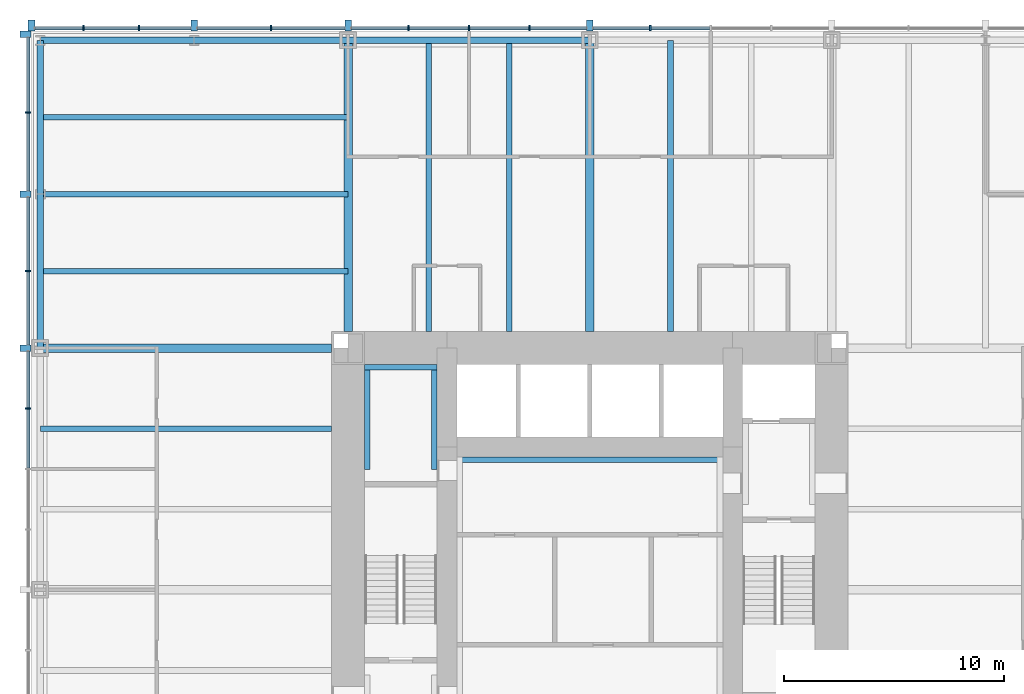
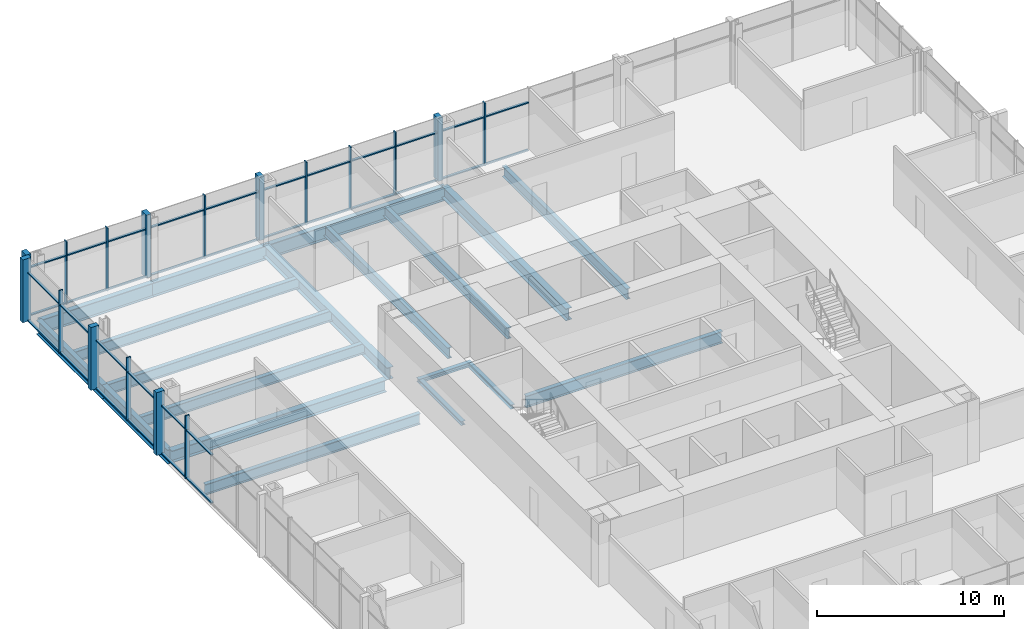
# One storey, part 5 of 12: 51 members, 19 beams, 2 elements without a shape of their own.
"""IFC4 building model written with IfcOpenShell, lengths in metres."""

from ifc_helpers import new_model, si_unit, direction, frame, origin, origin_2d, place, context, subcontext, project, spatial, rectangle, i_section, extrude, material, material_profile, profile_set, type_object, element, aggregate, save


model = new_model("IFC4")

# Units and contexts
model_context = context("Model", 3, precision=1e-05, world=origin(), true_north=direction((0.0, 1.0)))
body_context = subcontext(model_context, "Body", "Model", "MODEL_VIEW")
ifc_project = project(units=[si_unit("LENGTHUNIT", "METRE"), si_unit("AREAUNIT", "SQUARE_METRE"), si_unit("VOLUMEUNIT", "CUBIC_METRE"), si_unit("PLANEANGLEUNIT", "RADIAN"), si_unit("MASSUNIT", "GRAM", prefix="KILO")], contexts=[model_context])

# Site, building, storey
site_placement = place(None, origin())
site = spatial("IfcSite", under=ifc_project, at=site_placement, CompositionType="ELEMENT")
building_placement = place(site_placement, origin())
building = spatial("IfcBuilding", under=site, at=building_placement, Name="Trevanion Tower", CompositionType="ELEMENT")
storey_placement = place(building_placement, frame((0.0, 0.0, 69.300048828125)))
storey = spatial("IfcBuildingStorey", under=building, at=storey_placement, Name="L16", CompositionType="ELEMENT", Elevation=69.300048828125)

# Beams
ifc_material_1 = material(Name="Steel ASTM A992 Grade 50", Category="steel")
ifc_material_profile_1 = material_profile(ifc_material_1, i_section(OverallWidth=0.25390625, OverallDepth=0.700927734375, WebThickness=0.015380859375, FlangeThickness=0.02783203125, at=origin_2d()), Name="W27X129")
ifc_profile_set_1 = profile_set([ifc_material_profile_1], Name="Steel ASTM A992 Grade 50")
beam_type_1 = type_object("IfcBeamType", Name="B3 W27X129", PredefinedType="BEAM", material=ifc_profile_set_1)
for number, where, z_axis, x_axis, name in (
    (1, (3.666748046875, 11.75, -0.54052734375), (0.0, 1.0, 0.0), (-1.0, 0.0, 0.0), "B3 L16"),
    (2, (-3.666748046875, 11.75, -0.54052734375), (0.0, 1.0, 0.0), (-1.0, 0.0, 0.0), "B3 L16"),
    (3, (-7.333251953125, 11.75, -0.54052734375), (0.0, 1.0, 0.0), (-1.0, 0.0, 0.0), "B3 L16"),
    (4, (-11.75, 7.333251953125, -0.54052734375), (-1.0, 0.0, 0.0), (0.0, -1.0, 0.0), "B3 L16"),
):
    element("IfcBeam", number, at=place(storey_placement, frame(where, z_axis=z_axis, x_axis=x_axis)), inside=storey, type_object=beam_type_1, Name=name, PredefinedType="BEAM", context=body_context, shape_type="SweptSolid", body=[
        extrude(i_section(OverallWidth=0.25390625, OverallDepth=0.700927734375, WebThickness=0.015380859375, FlangeThickness=0.02783203125, at=origin_2d()), origin(), (0.0, 0.0, 1.0), 13.25),
    ])
ifc_material_2 = material(Name="Steel ASTM A992 Grade 50", Category="steel")
ifc_material_profile_2 = material_profile(ifc_material_2, i_section(OverallWidth=0.256591796875, OverallDepth=0.693359375, WebThickness=0.014404296875, FlangeThickness=0.023681640625, at=origin_2d()), Name="W27X114")
ifc_profile_set_2 = profile_set([ifc_material_profile_2], Name="Steel ASTM A992 Grade 50")
beam_type_2 = type_object("IfcBeamType", Name="B4 W27X114", PredefinedType="BEAM", material=ifc_profile_set_2)
for number, where, z_axis, x_axis, name in (
    (5, (-11.0, 14.5, -0.536865234375), (-1.0, 0.0, 0.0), (0.0, -1.0, 0.0), "B4 L16"),
    (6, (-11.0, 18.0, -0.536865234375), (-1.0, 0.0, 0.0), (0.0, -1.0, 0.0), "B4 L16"),
    (7, (-11.0, 21.5, -0.536865234375), (-1.0, 0.0, 0.0), (0.0, -1.0, 0.0), "B4 L16"),
):
    element("IfcBeam", number, at=place(storey_placement, frame(where, z_axis=z_axis, x_axis=x_axis)), inside=storey, type_object=beam_type_2, Name=name, PredefinedType="BEAM", context=body_context, shape_type="SweptSolid", body=[
        extrude(i_section(OverallWidth=0.256591796875, OverallDepth=0.693359375, WebThickness=0.014404296875, FlangeThickness=0.023681640625, at=origin_2d()), origin(), (0.0, 0.0, 1.0), 14.0),
    ])

# Curtain wall, members
ifc_material_3 = material(Name="Aluminium and glass", Category="aluminium")
curtain_wall_type = type_object("IfcCurtainWallType", Name="CW1 curtain wall", PredefinedType="USERDEFINED", material=ifc_material_3)
curtain_wall_1_placement = place(storey_placement, origin())
curtain_wall_1 = element("IfcCurtainWall", 8, at=curtain_wall_1_placement, inside=storey, type_object=curtain_wall_type, Name="CW1 L16 1", ObjectType="UNITISED CURTAIN WALL", PredefinedType="USERDEFINED")
ifc_material_4 = material(Name="Aluminium extrusion, anodised bronze", Category="aluminium")
ifc_material_profile_3 = material_profile(ifc_material_4, rectangle(XDim=0.074951171875, YDim=0.25, at=origin_2d()), Name="CW1 mullion")
ifc_profile_set_3 = profile_set([ifc_material_profile_3], Name="Aluminium extrusion, anodised bronze")
member_type_1 = type_object("IfcMemberType", Name="CW1 mullion", PredefinedType="MULLION", material=ifc_profile_set_3)
member_1_placement = place(storey_placement, frame((2.75, 25.550048828125, -0.18994140625), z_axis=(0.0, 0.0, 1.0), x_axis=(-1.0, 0.0, 0.0)))
member_1 = element("IfcMember", 9, at=member_1_placement, type_object=member_type_1, Name="CW1 mullion 8", PredefinedType="MULLION", context=body_context, shape_type="SweptSolid", body=[
    extrude(rectangle(XDim=0.074951171875, YDim=0.25, at=origin_2d()), origin(), (0.0, 0.0, 1.0), 4.099853515625),
])
member_2_placement = place(storey_placement, frame((-2.75, 25.550048828125, -0.18994140625), z_axis=(0.0, 0.0, 1.0), x_axis=(-1.0, 0.0, 0.0)))
member_2 = element("IfcMember", 10, at=member_2_placement, type_object=member_type_1, Name="CW1 mullion 10", PredefinedType="MULLION", context=body_context, shape_type="SweptSolid", body=[
    extrude(rectangle(XDim=0.074951171875, YDim=0.25, at=origin_2d()), origin(), (0.0, 0.0, 1.0), 4.099853515625),
])
member_3_placement = place(storey_placement, frame((-5.5, 25.550048828125, -0.18994140625), z_axis=(0.0, 0.0, 1.0), x_axis=(-1.0, 0.0, 0.0)))
member_3 = element("IfcMember", 11, at=member_3_placement, type_object=member_type_1, Name="CW1 mullion 11", PredefinedType="MULLION", context=body_context, shape_type="SweptSolid", body=[
    extrude(rectangle(XDim=0.074951171875, YDim=0.25, at=origin_2d()), origin(), (0.0, 0.0, 1.0), 4.099853515625),
])
member_4_placement = place(storey_placement, frame((-8.25, 25.550048828125, -0.18994140625), z_axis=(0.0, 0.0, 1.0), x_axis=(-1.0, 0.0, 0.0)))
member_4 = element("IfcMember", 12, at=member_4_placement, type_object=member_type_1, Name="CW1 mullion 12", PredefinedType="MULLION", context=body_context, shape_type="SweptSolid", body=[
    extrude(rectangle(XDim=0.074951171875, YDim=0.25, at=origin_2d()), origin(), (0.0, 0.0, 1.0), 4.099853515625),
])
member_5_placement = place(storey_placement, frame((-14.5, 25.550048828125, -0.18994140625), z_axis=(0.0, 0.0, 1.0), x_axis=(-1.0, 0.0, 0.0)))
member_5 = element("IfcMember", 13, at=member_5_placement, type_object=member_type_1, Name="CW1 mullion 14", PredefinedType="MULLION", context=body_context, shape_type="SweptSolid", body=[
    extrude(rectangle(XDim=0.074951171875, YDim=0.25, at=origin_2d()), origin(), (0.0, 0.0, 1.0), 4.099853515625),
])
member_6_placement = place(storey_placement, frame((-20.5166015625, 25.550048828125, -0.18994140625), z_axis=(0.0, 0.0, 1.0), x_axis=(-1.0, 0.0, 0.0)))
member_6 = element("IfcMember", 14, at=member_6_placement, type_object=member_type_1, Name="CW1 mullion 16", PredefinedType="MULLION", context=body_context, shape_type="SweptSolid", body=[
    extrude(rectangle(XDim=0.074951171875, YDim=0.25, at=origin_2d()), origin(), (0.0, 0.0, 1.0), 4.099853515625),
])
member_7_placement = place(storey_placement, frame((-23.033203125, 25.550048828125, -0.18994140625), z_axis=(0.0, 0.0, 1.0), x_axis=(-1.0, 0.0, 0.0)))
member_7 = element("IfcMember", 15, at=member_7_placement, type_object=member_type_1, Name="CW1 mullion 17", PredefinedType="MULLION", context=body_context, shape_type="SweptSolid", body=[
    extrude(rectangle(XDim=0.074951171875, YDim=0.25, at=origin_2d()), origin(), (0.0, 0.0, 1.0), 4.099853515625),
])

curtain_wall_2_placement = place(storey_placement, origin())
curtain_wall_2 = element("IfcCurtainWall", 16, at=curtain_wall_2_placement, inside=storey, type_object=curtain_wall_type, Name="CW1 L16 2", ObjectType="UNITISED CURTAIN WALL", PredefinedType="USERDEFINED")
member_8_placement = place(storey_placement, frame((-25.550048828125, 21.7099609375, -0.18994140625), z_axis=(0.0, 0.0, 1.0), x_axis=(0.0, -1.0, 0.0)))
member_8 = element("IfcMember", 17, at=member_8_placement, type_object=member_type_1, Name="CW1 mullion 2", PredefinedType="MULLION", context=body_context, shape_type="SweptSolid", body=[
    extrude(rectangle(XDim=0.074951171875, YDim=0.25, at=origin_2d()), origin(), (0.0, 0.0, 1.0), 4.099853515625),
])
member_9_placement = place(storey_placement, frame((-25.550048828125, 14.5, -0.18994140625), z_axis=(0.0, 0.0, 1.0), x_axis=(0.0, -1.0, 0.0)))
member_9 = element("IfcMember", 18, at=member_9_placement, type_object=member_type_1, Name="CW1 mullion 4", PredefinedType="MULLION", context=body_context, shape_type="SweptSolid", body=[
    extrude(rectangle(XDim=0.074951171875, YDim=0.25, at=origin_2d()), origin(), (0.0, 0.0, 1.0), 4.099853515625),
])
member_10_placement = place(storey_placement, frame((-25.550048828125, 8.25, -0.18994140625), z_axis=(0.0, 0.0, 1.0), x_axis=(0.0, -1.0, 0.0)))
member_10 = element("IfcMember", 19, at=member_10_placement, type_object=member_type_1, Name="CW1 mullion 6", PredefinedType="MULLION", context=body_context, shape_type="SweptSolid", body=[
    extrude(rectangle(XDim=0.074951171875, YDim=0.25, at=origin_2d()), origin(), (0.0, 0.0, 1.0), 4.099853515625),
])

# Member
ifc_material_5 = material(Name="Aluminium extrusion, anodised bronze", Category="aluminium")
ifc_material_profile_4 = material_profile(ifc_material_5, rectangle(XDim=0.300048828125, YDim=0.5, at=origin_2d()), Name="CW1 pier mullion")
ifc_profile_set_4 = profile_set([ifc_material_profile_4], Name="Aluminium extrusion, anodised bronze")
member_type_2 = type_object("IfcMemberType", Name="CW1 pier mullion", PredefinedType="MULLION", material=ifc_profile_set_4)
member_11_placement = place(storey_placement, frame((0.0, 25.675048828125, -0.18994140625), z_axis=(0.0, 0.0, 1.0), x_axis=(-1.0, 0.0, 0.0)))
member_11 = element("IfcMember", 20, at=member_11_placement, type_object=member_type_2, Name="CW1 pier mullion 9", PredefinedType="MULLION", context=body_context, shape_type="SweptSolid", body=[
    extrude(rectangle(XDim=0.300048828125, YDim=0.5, at=origin_2d()), origin(), (0.0, 0.0, 1.0), 4.099853515625),
])

member_12_placement = place(storey_placement, frame((-11.0, 25.675048828125, -0.18994140625), z_axis=(0.0, 0.0, 1.0), x_axis=(-1.0, 0.0, 0.0)))
member_12 = element("IfcMember", 21, at=member_12_placement, type_object=member_type_2, Name="CW1 pier mullion 13", PredefinedType="MULLION", context=body_context, shape_type="SweptSolid", body=[
    extrude(rectangle(XDim=0.300048828125, YDim=0.5, at=origin_2d()), origin(), (0.0, 0.0, 1.0), 4.099853515625),
])

member_13_placement = place(storey_placement, frame((-18.0, 25.675048828125, -0.18994140625), z_axis=(0.0, 0.0, 1.0), x_axis=(-1.0, 0.0, 0.0)))
member_13 = element("IfcMember", 22, at=member_13_placement, type_object=member_type_2, Name="CW1 pier mullion 15", PredefinedType="MULLION", context=body_context, shape_type="SweptSolid", body=[
    extrude(rectangle(XDim=0.300048828125, YDim=0.5, at=origin_2d()), origin(), (0.0, 0.0, 1.0), 4.099853515625),
])

member_14_placement = place(storey_placement, frame((-25.39990234375, 25.675048828125, -0.18994140625), z_axis=(0.0, 0.0, 1.0), x_axis=(-1.0, 0.0, 0.0)))
member_14 = element("IfcMember", 23, at=member_14_placement, type_object=member_type_2, Name="CW1 pier mullion 18", PredefinedType="MULLION", context=body_context, shape_type="SweptSolid", body=[
    extrude(rectangle(XDim=0.300048828125, YDim=0.5, at=origin_2d()), origin(), (0.0, 0.0, 1.0), 4.099853515625),
])

member_15_placement = place(storey_placement, frame((-25.675048828125, 25.27001953125, -0.18994140625), z_axis=(0.0, 0.0, 1.0), x_axis=(0.0, -1.0, 0.0)))
member_15 = element("IfcMember", 24, at=member_15_placement, type_object=member_type_2, Name="CW1 pier mullion 1", PredefinedType="MULLION", context=body_context, shape_type="SweptSolid", body=[
    extrude(rectangle(XDim=0.300048828125, YDim=0.5, at=origin_2d()), origin(), (0.0, 0.0, 1.0), 4.099853515625),
])

member_16_placement = place(storey_placement, frame((-25.675048828125, 18.0, -0.18994140625), z_axis=(0.0, 0.0, 1.0), x_axis=(0.0, -1.0, 0.0)))
member_16 = element("IfcMember", 25, at=member_16_placement, type_object=member_type_2, Name="CW1 pier mullion 3", PredefinedType="MULLION", context=body_context, shape_type="SweptSolid", body=[
    extrude(rectangle(XDim=0.300048828125, YDim=0.5, at=origin_2d()), origin(), (0.0, 0.0, 1.0), 4.099853515625),
])

member_17_placement = place(storey_placement, frame((-25.675048828125, 11.0, -0.18994140625), z_axis=(0.0, 0.0, 1.0), x_axis=(0.0, -1.0, 0.0)))
member_17 = element("IfcMember", 26, at=member_17_placement, type_object=member_type_2, Name="CW1 pier mullion 5", PredefinedType="MULLION", context=body_context, shape_type="SweptSolid", body=[
    extrude(rectangle(XDim=0.300048828125, YDim=0.5, at=origin_2d()), origin(), (0.0, 0.0, 1.0), 4.099853515625),
])

ifc_material_6 = material(Name="Aluminium extrusion, anodised bronze", Category="aluminium")
ifc_material_profile_5 = material_profile(ifc_material_6, rectangle(XDim=0.14990234375, YDim=0.074951171875, at=origin_2d()), Name="CW1 transom")
ifc_profile_set_5 = profile_set([ifc_material_profile_5], Name="Aluminium extrusion, anodised bronze")
member_type_3 = type_object("IfcMemberType", Name="CW1 transom", PredefinedType="USERDEFINED", material=ifc_profile_set_5)
member_18_placement = place(storey_placement, frame((5.46240234375, 25.550048828125, -0.152587890625), z_axis=(-1.0, 0.0, 0.0), x_axis=(0.0, -1.0, 0.0)))
member_18 = element("IfcMember", 27, at=member_18_placement, type_object=member_type_3, Name="CW1 transom 7.1", ObjectType="TRANSOM", PredefinedType="USERDEFINED", context=body_context, shape_type="SweptSolid", body=[
    extrude(rectangle(XDim=0.14990234375, YDim=0.074951171875, at=origin_2d()), origin(), (0.0, 0.0, 1.0), 2.6748046875),
])

member_19_placement = place(storey_placement, frame((5.46240234375, 25.550048828125, 2.9599609375), z_axis=(-1.0, 0.0, 0.0), x_axis=(0.0, -1.0, 0.0)))
member_19 = element("IfcMember", 28, at=member_19_placement, type_object=member_type_3, Name="CW1 transom 7.2", ObjectType="TRANSOM", PredefinedType="USERDEFINED", context=body_context, shape_type="SweptSolid", body=[
    extrude(rectangle(XDim=0.14990234375, YDim=0.074951171875, at=origin_2d()), origin(), (0.0, 0.0, 1.0), 2.6748046875),
])

member_20_placement = place(storey_placement, frame((2.71240234375, 25.550048828125, -0.152587890625), z_axis=(-1.0, 0.0, 0.0), x_axis=(0.0, -1.0, 0.0)))
member_20 = element("IfcMember", 29, at=member_20_placement, type_object=member_type_3, Name="CW1 transom 8.1", ObjectType="TRANSOM", PredefinedType="USERDEFINED", context=body_context, shape_type="SweptSolid", body=[
    extrude(rectangle(XDim=0.14990234375, YDim=0.074951171875, at=origin_2d()), origin(), (0.0, 0.0, 1.0), 2.5625),
])

member_21_placement = place(storey_placement, frame((2.71240234375, 25.550048828125, 2.9599609375), z_axis=(-1.0, 0.0, 0.0), x_axis=(0.0, -1.0, 0.0)))
member_21 = element("IfcMember", 30, at=member_21_placement, type_object=member_type_3, Name="CW1 transom 8.2", ObjectType="TRANSOM", PredefinedType="USERDEFINED", context=body_context, shape_type="SweptSolid", body=[
    extrude(rectangle(XDim=0.14990234375, YDim=0.074951171875, at=origin_2d()), origin(), (0.0, 0.0, 1.0), 2.5625),
])

member_22_placement = place(storey_placement, frame((-0.14990234375, 25.550048828125, -0.152587890625), z_axis=(-1.0, 0.0, 0.0), x_axis=(0.0, -1.0, 0.0)))
member_22 = element("IfcMember", 31, at=member_22_placement, type_object=member_type_3, Name="CW1 transom 9.1", ObjectType="TRANSOM", PredefinedType="USERDEFINED", context=body_context, shape_type="SweptSolid", body=[
    extrude(rectangle(XDim=0.14990234375, YDim=0.074951171875, at=origin_2d()), origin(), (0.0, 0.0, 1.0), 2.5625),
])

member_23_placement = place(storey_placement, frame((-0.14990234375, 25.550048828125, 2.9599609375), z_axis=(-1.0, 0.0, 0.0), x_axis=(0.0, -1.0, 0.0)))
member_23 = element("IfcMember", 32, at=member_23_placement, type_object=member_type_3, Name="CW1 transom 9.2", ObjectType="TRANSOM", PredefinedType="USERDEFINED", context=body_context, shape_type="SweptSolid", body=[
    extrude(rectangle(XDim=0.14990234375, YDim=0.074951171875, at=origin_2d()), origin(), (0.0, 0.0, 1.0), 2.5625),
])

member_24_placement = place(storey_placement, frame((-2.78759765625, 25.550048828125, -0.152587890625), z_axis=(-1.0, 0.0, 0.0), x_axis=(0.0, -1.0, 0.0)))
member_24 = element("IfcMember", 33, at=member_24_placement, type_object=member_type_3, Name="CW1 transom 10.1", ObjectType="TRANSOM", PredefinedType="USERDEFINED", context=body_context, shape_type="SweptSolid", body=[
    extrude(rectangle(XDim=0.14990234375, YDim=0.074951171875, at=origin_2d()), origin(), (0.0, 0.0, 1.0), 2.6748046875),
])

member_25_placement = place(storey_placement, frame((-2.78759765625, 25.550048828125, 2.9599609375), z_axis=(-1.0, 0.0, 0.0), x_axis=(0.0, -1.0, 0.0)))
member_25 = element("IfcMember", 34, at=member_25_placement, type_object=member_type_3, Name="CW1 transom 10.2", ObjectType="TRANSOM", PredefinedType="USERDEFINED", context=body_context, shape_type="SweptSolid", body=[
    extrude(rectangle(XDim=0.14990234375, YDim=0.074951171875, at=origin_2d()), origin(), (0.0, 0.0, 1.0), 2.6748046875),
])

member_26_placement = place(storey_placement, frame((-5.53759765625, 25.550048828125, -0.152587890625), z_axis=(-1.0, 0.0, 0.0), x_axis=(0.0, -1.0, 0.0)))
member_26 = element("IfcMember", 35, at=member_26_placement, type_object=member_type_3, Name="CW1 transom 11.1", ObjectType="TRANSOM", PredefinedType="USERDEFINED", context=body_context, shape_type="SweptSolid", body=[
    extrude(rectangle(XDim=0.14990234375, YDim=0.074951171875, at=origin_2d()), origin(), (0.0, 0.0, 1.0), 2.6748046875),
])

member_27_placement = place(storey_placement, frame((-5.53759765625, 25.550048828125, 2.9599609375), z_axis=(-1.0, 0.0, 0.0), x_axis=(0.0, -1.0, 0.0)))
member_27 = element("IfcMember", 36, at=member_27_placement, type_object=member_type_3, Name="CW1 transom 11.2", ObjectType="TRANSOM", PredefinedType="USERDEFINED", context=body_context, shape_type="SweptSolid", body=[
    extrude(rectangle(XDim=0.14990234375, YDim=0.074951171875, at=origin_2d()), origin(), (0.0, 0.0, 1.0), 2.6748046875),
])

member_28_placement = place(storey_placement, frame((-8.28759765625, 25.550048828125, -0.152587890625), z_axis=(-1.0, 0.0, 0.0), x_axis=(0.0, -1.0, 0.0)))
member_28 = element("IfcMember", 37, at=member_28_placement, type_object=member_type_3, Name="CW1 transom 12.1", ObjectType="TRANSOM", PredefinedType="USERDEFINED", context=body_context, shape_type="SweptSolid", body=[
    extrude(rectangle(XDim=0.14990234375, YDim=0.074951171875, at=origin_2d()), origin(), (0.0, 0.0, 1.0), 2.5625),
])

member_29_placement = place(storey_placement, frame((-8.28759765625, 25.550048828125, 2.9599609375), z_axis=(-1.0, 0.0, 0.0), x_axis=(0.0, -1.0, 0.0)))
member_29 = element("IfcMember", 38, at=member_29_placement, type_object=member_type_3, Name="CW1 transom 12.2", ObjectType="TRANSOM", PredefinedType="USERDEFINED", context=body_context, shape_type="SweptSolid", body=[
    extrude(rectangle(XDim=0.14990234375, YDim=0.074951171875, at=origin_2d()), origin(), (0.0, 0.0, 1.0), 2.5625),
])

member_30_placement = place(storey_placement, frame((-11.14990234375, 25.550048828125, -0.152587890625), z_axis=(-1.0, 0.0, 0.0), x_axis=(0.0, -1.0, 0.0)))
member_30 = element("IfcMember", 39, at=member_30_placement, type_object=member_type_3, Name="CW1 transom 13.1", ObjectType="TRANSOM", PredefinedType="USERDEFINED", context=body_context, shape_type="SweptSolid", body=[
    extrude(rectangle(XDim=0.14990234375, YDim=0.074951171875, at=origin_2d()), origin(), (0.0, 0.0, 1.0), 3.3125),
])

member_31_placement = place(storey_placement, frame((-11.14990234375, 25.550048828125, 2.9599609375), z_axis=(-1.0, 0.0, 0.0), x_axis=(0.0, -1.0, 0.0)))
member_31 = element("IfcMember", 40, at=member_31_placement, type_object=member_type_3, Name="CW1 transom 13.2", ObjectType="TRANSOM", PredefinedType="USERDEFINED", context=body_context, shape_type="SweptSolid", body=[
    extrude(rectangle(XDim=0.14990234375, YDim=0.074951171875, at=origin_2d()), origin(), (0.0, 0.0, 1.0), 3.3125),
])

member_32_placement = place(storey_placement, frame((-14.53759765625, 25.550048828125, -0.152587890625), z_axis=(-1.0, 0.0, 0.0), x_axis=(0.0, -1.0, 0.0)))
member_32 = element("IfcMember", 41, at=member_32_placement, type_object=member_type_3, Name="CW1 transom 14.1", ObjectType="TRANSOM", PredefinedType="USERDEFINED", context=body_context, shape_type="SweptSolid", body=[
    extrude(rectangle(XDim=0.14990234375, YDim=0.074951171875, at=origin_2d()), origin(), (0.0, 0.0, 1.0), 3.3125),
])

member_33_placement = place(storey_placement, frame((-14.53759765625, 25.550048828125, 2.9599609375), z_axis=(-1.0, 0.0, 0.0), x_axis=(0.0, -1.0, 0.0)))
member_33 = element("IfcMember", 42, at=member_33_placement, type_object=member_type_3, Name="CW1 transom 14.2", ObjectType="TRANSOM", PredefinedType="USERDEFINED", context=body_context, shape_type="SweptSolid", body=[
    extrude(rectangle(XDim=0.14990234375, YDim=0.074951171875, at=origin_2d()), origin(), (0.0, 0.0, 1.0), 3.3125),
])

member_34_placement = place(storey_placement, frame((-18.14990234375, 25.550048828125, -0.152587890625), z_axis=(-1.0, 0.0, 0.0), x_axis=(0.0, -1.0, 0.0)))
member_34 = element("IfcMember", 43, at=member_34_placement, type_object=member_type_3, Name="CW1 transom 15.1", ObjectType="TRANSOM", PredefinedType="USERDEFINED", context=body_context, shape_type="SweptSolid", body=[
    extrude(rectangle(XDim=0.14990234375, YDim=0.074951171875, at=origin_2d()), origin(), (0.0, 0.0, 1.0), 2.329345703125),
])

member_35_placement = place(storey_placement, frame((-18.14990234375, 25.550048828125, 2.9599609375), z_axis=(-1.0, 0.0, 0.0), x_axis=(0.0, -1.0, 0.0)))
member_35 = element("IfcMember", 44, at=member_35_placement, type_object=member_type_3, Name="CW1 transom 15.2", ObjectType="TRANSOM", PredefinedType="USERDEFINED", context=body_context, shape_type="SweptSolid", body=[
    extrude(rectangle(XDim=0.14990234375, YDim=0.074951171875, at=origin_2d()), origin(), (0.0, 0.0, 1.0), 2.329345703125),
])

member_36_placement = place(storey_placement, frame((-20.55419921875, 25.550048828125, -0.152587890625), z_axis=(-1.0, 0.0, 0.0), x_axis=(0.0, -1.0, 0.0)))
member_36 = element("IfcMember", 45, at=member_36_placement, type_object=member_type_3, Name="CW1 transom 16.1", ObjectType="TRANSOM", PredefinedType="USERDEFINED", context=body_context, shape_type="SweptSolid", body=[
    extrude(rectangle(XDim=0.14990234375, YDim=0.074951171875, at=origin_2d()), origin(), (0.0, 0.0, 1.0), 2.441650390625),
])

member_37_placement = place(storey_placement, frame((-20.55419921875, 25.550048828125, 2.9599609375), z_axis=(-1.0, 0.0, 0.0), x_axis=(0.0, -1.0, 0.0)))
member_37 = element("IfcMember", 46, at=member_37_placement, type_object=member_type_3, Name="CW1 transom 16.2", ObjectType="TRANSOM", PredefinedType="USERDEFINED", context=body_context, shape_type="SweptSolid", body=[
    extrude(rectangle(XDim=0.14990234375, YDim=0.074951171875, at=origin_2d()), origin(), (0.0, 0.0, 1.0), 2.441650390625),
])

member_38_placement = place(storey_placement, frame((-23.07080078125, 25.550048828125, -0.152587890625), z_axis=(-1.0, 0.0, 0.0), x_axis=(0.0, -1.0, 0.0)))
member_38 = element("IfcMember", 47, at=member_38_placement, type_object=member_type_3, Name="CW1 transom 17.1", ObjectType="TRANSOM", PredefinedType="USERDEFINED", context=body_context, shape_type="SweptSolid", body=[
    extrude(rectangle(XDim=0.14990234375, YDim=0.074951171875, at=origin_2d()), origin(), (0.0, 0.0, 1.0), 2.17919921875),
])

member_39_placement = place(storey_placement, frame((-23.07080078125, 25.550048828125, 2.9599609375), z_axis=(-1.0, 0.0, 0.0), x_axis=(0.0, -1.0, 0.0)))
member_39 = element("IfcMember", 48, at=member_39_placement, type_object=member_type_3, Name="CW1 transom 17.2", ObjectType="TRANSOM", PredefinedType="USERDEFINED", context=body_context, shape_type="SweptSolid", body=[
    extrude(rectangle(XDim=0.14990234375, YDim=0.074951171875, at=origin_2d()), origin(), (0.0, 0.0, 1.0), 2.17919921875),
])

aggregate(curtain_wall_1, [member_1, member_11, member_2, member_3, member_4, member_12, member_5, member_13, member_6, member_7, member_14, member_18, member_19, member_20, member_21, member_22, member_23, member_24, member_25, member_26, member_27, member_28, member_29, member_30, member_31, member_32, member_33, member_34, member_35, member_36, member_37, member_38, member_39])

member_40_placement = place(storey_placement, frame((-25.550048828125, 25.1201171875, -0.152587890625), z_axis=(0.0, -1.0, 0.0), x_axis=(1.0, 0.0, 0.0)))
member_40 = element("IfcMember", 49, at=member_40_placement, type_object=member_type_3, Name="CW1 transom 1.1", ObjectType="TRANSOM", PredefinedType="USERDEFINED", context=body_context, shape_type="SweptSolid", body=[
    extrude(rectangle(XDim=0.14990234375, YDim=0.074951171875, at=origin_2d()), origin(), (0.0, 0.0, 1.0), 3.37255859375),
])

member_41_placement = place(storey_placement, frame((-25.550048828125, 25.1201171875, 2.9599609375), z_axis=(0.0, -1.0, 0.0), x_axis=(1.0, 0.0, 0.0)))
member_41 = element("IfcMember", 50, at=member_41_placement, type_object=member_type_3, Name="CW1 transom 1.2", ObjectType="TRANSOM", PredefinedType="USERDEFINED", context=body_context, shape_type="SweptSolid", body=[
    extrude(rectangle(XDim=0.14990234375, YDim=0.074951171875, at=origin_2d()), origin(), (0.0, 0.0, 1.0), 3.37255859375),
])

member_42_placement = place(storey_placement, frame((-25.550048828125, 21.672607421875, -0.152587890625), z_axis=(0.0, -1.0, 0.0), x_axis=(1.0, 0.0, 0.0)))
member_42 = element("IfcMember", 51, at=member_42_placement, type_object=member_type_3, Name="CW1 transom 2.1", ObjectType="TRANSOM", PredefinedType="USERDEFINED", context=body_context, shape_type="SweptSolid", body=[
    extrude(rectangle(XDim=0.14990234375, YDim=0.074951171875, at=origin_2d()), origin(), (0.0, 0.0, 1.0), 3.522705078125),
])

member_43_placement = place(storey_placement, frame((-25.550048828125, 21.672607421875, 2.9599609375), z_axis=(0.0, -1.0, 0.0), x_axis=(1.0, 0.0, 0.0)))
member_43 = element("IfcMember", 52, at=member_43_placement, type_object=member_type_3, Name="CW1 transom 2.2", ObjectType="TRANSOM", PredefinedType="USERDEFINED", context=body_context, shape_type="SweptSolid", body=[
    extrude(rectangle(XDim=0.14990234375, YDim=0.074951171875, at=origin_2d()), origin(), (0.0, 0.0, 1.0), 3.522705078125),
])

member_44_placement = place(storey_placement, frame((-25.550048828125, 17.85009765625, -0.152587890625), z_axis=(0.0, -1.0, 0.0), x_axis=(1.0, 0.0, 0.0)))
member_44 = element("IfcMember", 53, at=member_44_placement, type_object=member_type_3, Name="CW1 transom 3.1", ObjectType="TRANSOM", PredefinedType="USERDEFINED", context=body_context, shape_type="SweptSolid", body=[
    extrude(rectangle(XDim=0.14990234375, YDim=0.074951171875, at=origin_2d()), origin(), (0.0, 0.0, 1.0), 3.3125),
])

member_45_placement = place(storey_placement, frame((-25.550048828125, 17.85009765625, 2.9599609375), z_axis=(0.0, -1.0, 0.0), x_axis=(1.0, 0.0, 0.0)))
member_45 = element("IfcMember", 54, at=member_45_placement, type_object=member_type_3, Name="CW1 transom 3.2", ObjectType="TRANSOM", PredefinedType="USERDEFINED", context=body_context, shape_type="SweptSolid", body=[
    extrude(rectangle(XDim=0.14990234375, YDim=0.074951171875, at=origin_2d()), origin(), (0.0, 0.0, 1.0), 3.3125),
])

member_46_placement = place(storey_placement, frame((-25.550048828125, 14.46240234375, -0.152587890625), z_axis=(0.0, -1.0, 0.0), x_axis=(1.0, 0.0, 0.0)))
member_46 = element("IfcMember", 55, at=member_46_placement, type_object=member_type_3, Name="CW1 transom 4.1", ObjectType="TRANSOM", PredefinedType="USERDEFINED", context=body_context, shape_type="SweptSolid", body=[
    extrude(rectangle(XDim=0.14990234375, YDim=0.074951171875, at=origin_2d()), origin(), (0.0, 0.0, 1.0), 3.3125),
])

member_47_placement = place(storey_placement, frame((-25.550048828125, 14.46240234375, 2.9599609375), z_axis=(0.0, -1.0, 0.0), x_axis=(1.0, 0.0, 0.0)))
member_47 = element("IfcMember", 56, at=member_47_placement, type_object=member_type_3, Name="CW1 transom 4.2", ObjectType="TRANSOM", PredefinedType="USERDEFINED", context=body_context, shape_type="SweptSolid", body=[
    extrude(rectangle(XDim=0.14990234375, YDim=0.074951171875, at=origin_2d()), origin(), (0.0, 0.0, 1.0), 3.3125),
])

member_48_placement = place(storey_placement, frame((-25.550048828125, 10.85009765625, -0.152587890625), z_axis=(0.0, -1.0, 0.0), x_axis=(1.0, 0.0, 0.0)))
member_48 = element("IfcMember", 57, at=member_48_placement, type_object=member_type_3, Name="CW1 transom 5.1", ObjectType="TRANSOM", PredefinedType="USERDEFINED", context=body_context, shape_type="SweptSolid", body=[
    extrude(rectangle(XDim=0.14990234375, YDim=0.074951171875, at=origin_2d()), origin(), (0.0, 0.0, 1.0), 2.5625),
])

member_49_placement = place(storey_placement, frame((-25.550048828125, 10.85009765625, 2.9599609375), z_axis=(0.0, -1.0, 0.0), x_axis=(1.0, 0.0, 0.0)))
member_49 = element("IfcMember", 58, at=member_49_placement, type_object=member_type_3, Name="CW1 transom 5.2", ObjectType="TRANSOM", PredefinedType="USERDEFINED", context=body_context, shape_type="SweptSolid", body=[
    extrude(rectangle(XDim=0.14990234375, YDim=0.074951171875, at=origin_2d()), origin(), (0.0, 0.0, 1.0), 2.5625),
])

member_50_placement = place(storey_placement, frame((-25.550048828125, 8.21240234375, -0.152587890625), z_axis=(0.0, -1.0, 0.0), x_axis=(1.0, 0.0, 0.0)))
member_50 = element("IfcMember", 59, at=member_50_placement, type_object=member_type_3, Name="CW1 transom 6.1", ObjectType="TRANSOM", PredefinedType="USERDEFINED", context=body_context, shape_type="SweptSolid", body=[
    extrude(rectangle(XDim=0.14990234375, YDim=0.074951171875, at=origin_2d()), origin(), (0.0, 0.0, 1.0), 2.6748046875),
])

member_51_placement = place(storey_placement, frame((-25.550048828125, 8.21240234375, 2.9599609375), z_axis=(0.0, -1.0, 0.0), x_axis=(1.0, 0.0, 0.0)))
member_51 = element("IfcMember", 60, at=member_51_placement, type_object=member_type_3, Name="CW1 transom 6.2", ObjectType="TRANSOM", PredefinedType="USERDEFINED", context=body_context, shape_type="SweptSolid", body=[
    extrude(rectangle(XDim=0.14990234375, YDim=0.074951171875, at=origin_2d()), origin(), (0.0, 0.0, 1.0), 2.6748046875),
])

aggregate(curtain_wall_2, [member_15, member_8, member_16, member_9, member_17, member_10, member_40, member_41, member_42, member_43, member_44, member_45, member_46, member_47, member_48, member_49, member_50, member_51])

# Beams
ifc_material_7 = material(Name="Steel ASTM A992 Grade 50", Category="steel")
ifc_material_profile_6 = material_profile(ifc_material_7, i_section(OverallWidth=0.381103515625, OverallDepth=0.77978515625, WebThickness=0.01806640625, FlangeThickness=0.0302734375, at=origin_2d()), Name="W30X191")
ifc_profile_set_6 = profile_set([ifc_material_profile_6], Name="Steel ASTM A992 Grade 50")
beam_type_3 = type_object("IfcBeamType", Name="G2 W30X191", PredefinedType="BEAM", material=ifc_profile_set_6)
for number, where, z_axis, x_axis, name in (
    (61, (0.0, 11.75, -0.579833984375), (0.0, 1.0, 0.0), (-1.0, 0.0, 0.0), "G2 L16"),
    (62, (-11.0, 11.75, -0.579833984375), (0.0, 1.0, 0.0), (-1.0, 0.0, 0.0), "G2 L16"),
    (63, (-11.75, 11.0, -0.579833984375), (-1.0, 0.0, 0.0), (0.0, -1.0, 0.0), "G2 L16"),
):
    element("IfcBeam", number, at=place(storey_placement, frame(where, z_axis=z_axis, x_axis=x_axis)), inside=storey, type_object=beam_type_3, Name=name, PredefinedType="BEAM", context=body_context, shape_type="SweptSolid", body=[
        extrude(i_section(OverallWidth=0.381103515625, OverallDepth=0.77978515625, WebThickness=0.01806640625, FlangeThickness=0.0302734375, at=origin_2d()), origin(), (0.0, 0.0, 1.0), 13.25),
    ])
ifc_material_8 = material(Name="Steel ASTM A992 Grade 50", Category="steel")
ifc_material_profile_7 = material_profile(ifc_material_8, i_section(OverallWidth=0.256591796875, OverallDepth=0.26416015625, WebThickness=0.011962890625, FlangeThickness=0.01953125, at=origin_2d()), Name="W10X68")
ifc_profile_set_7 = profile_set([ifc_material_profile_7], Name="Steel ASTM A992 Grade 50")
beam_type_4 = type_object("IfcBeamType", Name="LB1 W10X68", PredefinedType="BEAM", material=ifc_profile_set_7)
for number, where, z_axis, x_axis, name in (
    (64, (-10.12158203125, 5.47509765625, -0.33203125), (0.0, 1.0, 0.0), (-1.0, 0.0, 0.0), "LB1 L16"),
    (65, (-7.078369140625, 5.47509765625, -0.33203125), (0.0, 1.0, 0.0), (-1.0, 0.0, 0.0), "LB1 L16"),
):
    element("IfcBeam", number, at=place(storey_placement, frame(where, z_axis=z_axis, x_axis=x_axis)), inside=storey, type_object=beam_type_4, Name=name, PredefinedType="BEAM", context=body_context, shape_type="SweptSolid", body=[
        extrude(i_section(OverallWidth=0.256591796875, OverallDepth=0.26416015625, WebThickness=0.011962890625, FlangeThickness=0.01953125, at=origin_2d()), origin(), (0.0, 0.0, 1.0), 4.77490234375),
    ])
beam_1_placement = place(storey_placement, frame((-10.25, 10.12158203125, -0.33203125), z_axis=(1.0, 0.0, 0.0), x_axis=(0.0, 1.0, 0.0)))
element("IfcBeam", 66, at=beam_1_placement, inside=storey, type_object=beam_type_4, Name="LB1 L16", PredefinedType="BEAM", context=body_context, shape_type="SweptSolid", body=[
    extrude(i_section(OverallWidth=0.256591796875, OverallDepth=0.26416015625, WebThickness=0.011962890625, FlangeThickness=0.01953125, at=origin_2d()), origin(), (0.0, 0.0, 1.0), 3.300048828125),
])
ifc_material_9 = material(Name="Steel ASTM A992 Grade 50", Category="steel")
ifc_material_profile_8 = material_profile(ifc_material_9, i_section(OverallWidth=0.2666015625, OverallDepth=0.76953125, WebThickness=0.015625, FlangeThickness=0.025390625, at=origin_2d()), Name="W30X132")
ifc_profile_set_8 = profile_set([ifc_material_profile_8], Name="Steel ASTM A992 Grade 50")
beam_type_5 = type_object("IfcBeamType", Name="LB3 W30X132", PredefinedType="BEAM", material=ifc_profile_set_8)
beam_2_placement = place(storey_placement, frame((-6.050048828125, 5.91650390625, -0.5849609375), z_axis=(1.0, 0.0, 0.0), x_axis=(0.0, 1.0, 0.0)))
element("IfcBeam", 67, at=beam_2_placement, inside=storey, type_object=beam_type_5, Name="LB3 L16", PredefinedType="BEAM", context=body_context, shape_type="SweptSolid", body=[
    extrude(i_section(OverallWidth=0.2666015625, OverallDepth=0.76953125, WebThickness=0.015625, FlangeThickness=0.025390625, at=origin_2d()), origin(), (0.0, 0.0, 1.0), 12.10009765625),
])
ifc_material_10 = material(Name="Steel ASTM A992 Grade 50", Category="steel")
ifc_material_profile_9 = material_profile(ifc_material_10, i_section(OverallWidth=0.307373046875, OverallDepth=0.927001953125, WebThickness=0.01953125, FlangeThickness=0.031982421875, at=origin_2d()), Name="W36X194")
ifc_profile_set_9 = profile_set([ifc_material_profile_9], Name="Steel ASTM A992 Grade 50")
beam_type_6 = type_object("IfcBeamType", Name="SB2 W36X194", PredefinedType="SPANDREL", material=ifc_profile_set_9)
beam_3_placement = place(storey_placement, frame((0.0, 25.0, -0.653564453125), z_axis=(-1.0, 0.0, 0.0), x_axis=(0.0, -1.0, 0.0)))
element("IfcBeam", 68, at=beam_3_placement, inside=storey, type_object=beam_type_6, Name="SB2 L16", PredefinedType="SPANDREL", context=body_context, shape_type="SweptSolid", body=[
    extrude(i_section(OverallWidth=0.307373046875, OverallDepth=0.927001953125, WebThickness=0.01953125, FlangeThickness=0.031982421875, at=origin_2d()), origin(), (0.0, 0.0, 1.0), 11.0),
])
for number, where, z_axis, x_axis, name in (
    (69, (-11.0, 25.0, -0.653564453125), (-1.0, 0.0, 0.0), (0.0, -1.0, 0.0), "SB2 L16"),
    (70, (-18.0, 25.0, -0.653564453125), (-1.0, 0.0, 0.0), (0.0, -1.0, 0.0), "SB2 L16"),
    (71, (-25.0, 25.0, -0.653564453125), (0.0, -1.0, 0.0), (1.0, 0.0, 0.0), "SB2 L16"),
    (72, (-25.0, 18.0, -0.653564453125), (0.0, -1.0, 0.0), (1.0, 0.0, 0.0), "SB2 L16"),
):
    element("IfcBeam", number, at=place(storey_placement, frame(where, z_axis=z_axis, x_axis=x_axis)), inside=storey, type_object=beam_type_6, Name=name, PredefinedType="SPANDREL", context=body_context, shape_type="SweptSolid", body=[
        extrude(i_section(OverallWidth=0.307373046875, OverallDepth=0.927001953125, WebThickness=0.01953125, FlangeThickness=0.031982421875, at=origin_2d()), origin(), (0.0, 0.0, 1.0), 7.0),
    ])

save(model, "model.ifc")
